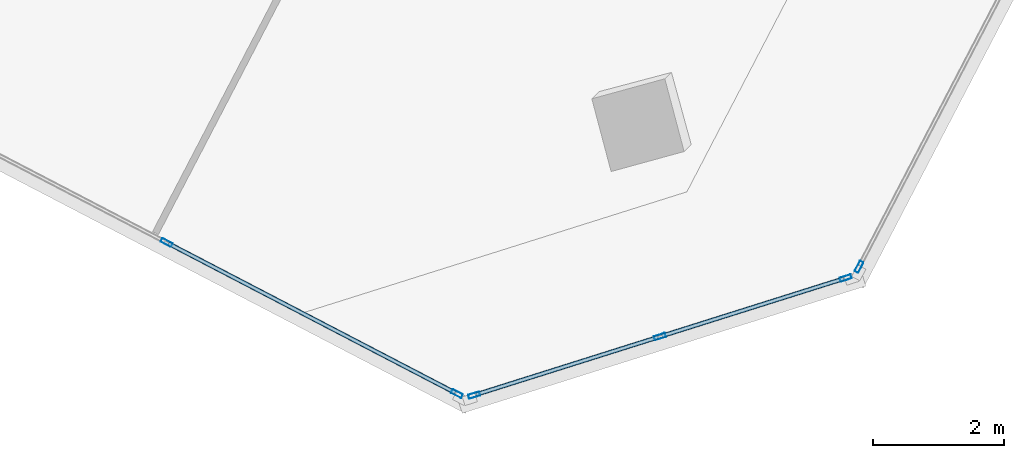
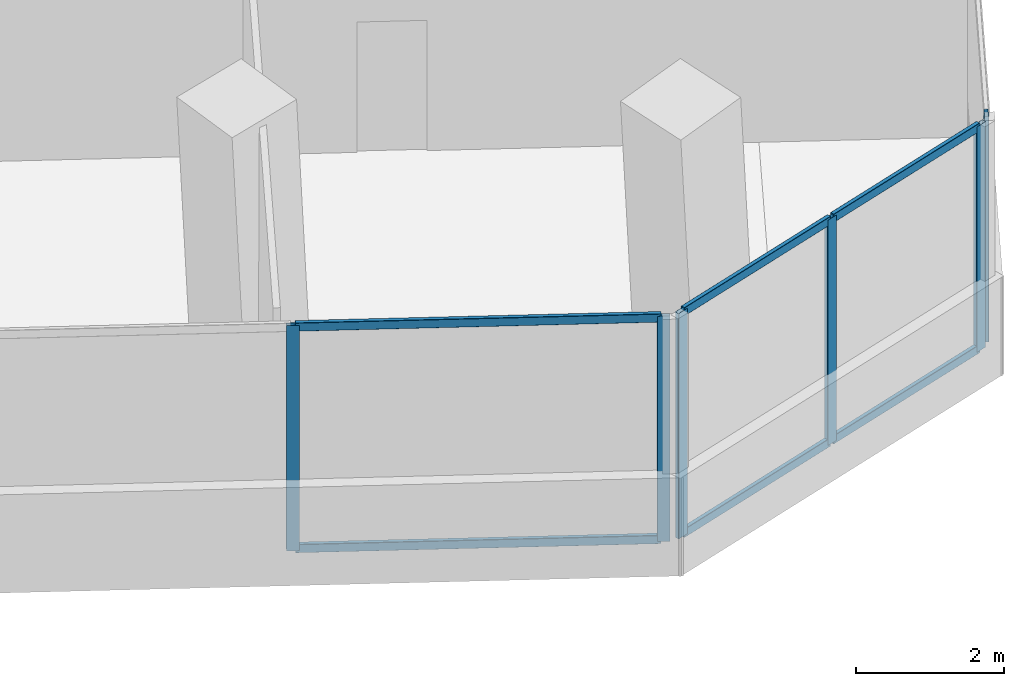
# One storey, part 7 of 22: 12 members, 3 elements without a shape of their own.
"""IFC4 building model written with IfcOpenShell, lengths in metres."""

from ifc_helpers import new_model, si_unit, direction, frame, origin, origin_2d, place, context, subcontext, project, spatial, hollow_rectangle, extrude, source, transform, mapped, material, material_profile, profile_set, type_object, element, aggregate, save


model = new_model("IFC4")

# Units and contexts
model_context = context("Model", 3, precision=1e-05, world=origin(), true_north=direction((0.0, 1.0)))
body_context = subcontext(model_context, "Body", "Model", "MODEL_VIEW")
ifc_project = project(units=[si_unit("LENGTHUNIT", "METRE"), si_unit("AREAUNIT", "SQUARE_METRE"), si_unit("VOLUMEUNIT", "CUBIC_METRE"), si_unit("PLANEANGLEUNIT", "RADIAN"), si_unit("MASSUNIT", "GRAM", prefix="KILO")], contexts=[model_context])

# Site, building, storey
site_placement = place(None, origin())
site = spatial("IfcSite", under=ifc_project, at=site_placement, CompositionType="ELEMENT")
building_placement = place(site_placement, origin())
building = spatial("IfcBuilding", under=site, at=building_placement, Name="Torre Montelarca", CompositionType="ELEMENT")
storey_placement = place(building_placement, frame((0.0, 0.0, 175.0)))
storey = spatial("IfcBuildingStorey", under=building, at=storey_placement, Name="L39", CompositionType="ELEMENT", Elevation=175.0)

# Curtain wall, members
ifc_material_1 = material(Name="Insulated low-E laminated glass", Category="glass")
curtain_wall_type = type_object("IfcCurtainWallType", Name="CW-SYS-Z2", PredefinedType="USERDEFINED", material=ifc_material_1)
curtain_wall_1_placement = place(storey_placement, origin())
curtain_wall_1 = element("IfcCurtainWall", 1, at=curtain_wall_1_placement, inside=storey, type_object=curtain_wall_type, Name="L39 Curtain Wall Run CW-T3-L39-E05-B1", ObjectType="UNITISED GLAZING", PredefinedType="USERDEFINED")
ifc_material_2 = material(Name="Anodised aluminium AA 6063-T6", Category="aluminium")
ifc_material_profile_1 = material_profile(ifc_material_2, hollow_rectangle(XDim=0.06494140625, YDim=0.139892578125, WallThickness=0.00390625, InnerFilletRadius=0.00390625, OuterFilletRadius=0.008056640625, at=origin_2d()), Name="ALU65X140X4", Category="aluminium")
ifc_profile_set_1 = profile_set([ifc_material_profile_1], Name="Anodised aluminium AA 6063-T6")
member_type_1 = type_object("IfcMemberType", Name="CWT-ALU140", PredefinedType="USERDEFINED", material=ifc_profile_set_1)
shared_shape_1 = source(origin(), body_context, "Body", "SweptSolid", [
    extrude(hollow_rectangle(XDim=0.06494140625, YDim=0.139892578125, WallThickness=0.00390625, InnerFilletRadius=0.00390625, OuterFilletRadius=0.008056640625, at=origin_2d()), origin(), (0.0, 0.0, 1.0), 2.918701171875),
])
member_1_placement = place(storey_placement, frame((38.282470703125, 7.993408203125, 0.032470703125), z_axis=(0.953717833294, 0.300703000412, 0.0), x_axis=(-0.300703000412, 0.953717833294, 0.0)))
member_1 = element("IfcMember", 2, at=member_1_placement, type_object=member_type_1, Name="CW transom 1.1", ObjectType="TRANSOM", PredefinedType="USERDEFINED", context=body_context, shape_type="MappedRepresentation", body=[
    mapped(shared_shape_1, transform((0.0, 0.0, 0.0), scale=1.0)),
])
member_2_placement = place(storey_placement, frame((38.282470703125, 7.993408203125, 3.6875), z_axis=(0.953717833294, 0.300703000412, 0.0), x_axis=(-0.300703000412, 0.953717833294, 0.0)))
member_2 = element("IfcMember", 3, at=member_2_placement, type_object=member_type_1, Name="CW transom 1.2", ObjectType="TRANSOM", PredefinedType="USERDEFINED", context=body_context, shape_type="MappedRepresentation", body=[
    mapped(shared_shape_1, transform((0.0, 0.0, 0.0), scale=1.0)),
])
shared_shape_2 = source(origin(), body_context, "Body", "SweptSolid", [
    extrude(hollow_rectangle(XDim=0.06494140625, YDim=0.139892578125, WallThickness=0.00390625, InnerFilletRadius=0.00390625, OuterFilletRadius=0.008056640625, at=origin_2d()), origin(), (0.0, 0.0, 1.0), 2.91845703125),
])
member_3_placement = place(storey_placement, frame((41.128173828125, 8.890625, 0.032470703125), z_axis=(0.953734258379, 0.300650901203, 0.0), x_axis=(-0.300650901203, 0.953734258379, 0.0)))
member_3 = element("IfcMember", 4, at=member_3_placement, type_object=member_type_1, Name="CW transom 2.1", ObjectType="TRANSOM", PredefinedType="USERDEFINED", context=body_context, shape_type="MappedRepresentation", body=[
    mapped(shared_shape_2, transform((0.0, 0.0, 0.0), scale=1.0)),
])
member_4_placement = place(storey_placement, frame((41.128173828125, 8.890625, 3.6875), z_axis=(0.953734258379, 0.300650901203, 0.0), x_axis=(-0.300650901203, 0.953734258379, 0.0)))
member_4 = element("IfcMember", 5, at=member_4_placement, type_object=member_type_1, Name="CW transom 2.2", ObjectType="TRANSOM", PredefinedType="USERDEFINED", context=body_context, shape_type="MappedRepresentation", body=[
    mapped(shared_shape_2, transform((0.0, 0.0, 0.0), scale=1.0)),
])

curtain_wall_2_placement = place(storey_placement, origin())
curtain_wall_2 = element("IfcCurtainWall", 6, at=curtain_wall_2_placement, inside=storey, type_object=curtain_wall_type, Name="L39 Curtain Wall Run CW-T3-L39-E04-B1", ObjectType="UNITISED GLAZING", PredefinedType="USERDEFINED")
ifc_material_profile_2 = material_profile(ifc_material_2, hollow_rectangle(XDim=0.06494140625, YDim=0.179931640625, WallThickness=0.00390625, InnerFilletRadius=0.00390625, OuterFilletRadius=0.008056640625, at=origin_2d()), Name="ALU65X180X4", Category="aluminium")
ifc_profile_set_2 = profile_set([ifc_material_profile_2], Name="Anodised aluminium AA 6063-T6")
member_type_2 = type_object("IfcMemberType", Name="CWM-ALU180", PredefinedType="MULLION", material=ifc_profile_set_2)
shared_shape_3 = source(origin(), body_context, "Body", "SweptSolid", [
    extrude(hollow_rectangle(XDim=0.06494140625, YDim=0.179931640625, WallThickness=0.00390625, InnerFilletRadius=0.00390625, OuterFilletRadius=0.008056640625, at=origin_2d()), origin(), (0.0, 0.0, 1.0), 3.719970703125),
])
member_5_placement = place(storey_placement, frame((33.538330078125, 10.322021484375, 0.0), z_axis=(0.0, 0.0, 1.0), x_axis=(0.461743609762, 0.887013437803, 0.0)))
member_5 = element("IfcMember", 7, at=member_5_placement, type_object=member_type_2, Name="CW mullion 2", PredefinedType="MULLION", context=body_context, shape_type="MappedRepresentation", body=[
    mapped(shared_shape_3, transform((0.0, 0.0, 0.0), scale=1.0)),
])
member_6_placement = place(storey_placement, frame((37.985595703125, 8.0068359375, 0.0), z_axis=(0.0, 0.0, 1.0), x_axis=(0.461743609762, 0.887013437803, 0.0)))
member_6 = element("IfcMember", 8, at=member_6_placement, type_object=member_type_2, Name="CW mullion 3", PredefinedType="MULLION", context=body_context, shape_type="MappedRepresentation", body=[
    mapped(shared_shape_3, transform((0.0, 0.0, 0.0), scale=1.0)),
])

# Member
member_7_placement = place(storey_placement, frame((38.25146484375, 7.983642578125, 0.0), z_axis=(0.0, 0.0, 1.0), x_axis=(-0.300679111938, 0.953725364895, 0.0)))
member_7 = element("IfcMember", 9, at=member_7_placement, type_object=member_type_2, Name="CW mullion 1", PredefinedType="MULLION", context=body_context, shape_type="MappedRepresentation", body=[
    mapped(shared_shape_3, transform((0.0, 0.0, 0.0), scale=1.0)),
])

member_8_placement = place(storey_placement, frame((41.09716796875, 8.880859375, 0.0), z_axis=(0.0, 0.0, 1.0), x_axis=(-0.300679111938, 0.953725364895, 0.0)))
member_8 = element("IfcMember", 10, at=member_8_placement, type_object=member_type_2, Name="CW mullion 2", PredefinedType="MULLION", context=body_context, shape_type="MappedRepresentation", body=[
    mapped(shared_shape_3, transform((0.0, 0.0, 0.0), scale=1.0)),
])

member_9_placement = place(storey_placement, frame((43.942626953125, 9.77783203125, 0.0), z_axis=(0.0, 0.0, 1.0), x_axis=(-0.300679111938, 0.953725364895, 0.0)))
member_9 = element("IfcMember", 11, at=member_9_placement, type_object=member_type_2, Name="CW mullion 3", PredefinedType="MULLION", context=body_context, shape_type="MappedRepresentation", body=[
    mapped(shared_shape_3, transform((0.0, 0.0, 0.0), scale=1.0)),
])

aggregate(curtain_wall_1, [member_7, member_8, member_9, member_1, member_2, member_3, member_4])

# Curtain wall, member
curtain_wall_3_placement = place(storey_placement, origin())
curtain_wall_3 = element("IfcCurtainWall", 12, at=curtain_wall_3_placement, inside=storey, type_object=curtain_wall_type, Name="L39 Curtain Wall Run CW-T3-L39-E06-B1", ObjectType="UNITISED GLAZING", PredefinedType="USERDEFINED")
member_10_placement = place(storey_placement, frame((44.147216796875, 9.949462890625, 0.0), z_axis=(0.0, 0.0, 1.0), x_axis=(-0.887014000849, 0.461742528145, 0.0)))
member_10 = element("IfcMember", 13, at=member_10_placement, type_object=member_type_2, Name="CW mullion 1", PredefinedType="MULLION", context=body_context, shape_type="MappedRepresentation", body=[
    mapped(shared_shape_3, transform((0.0, 0.0, 0.0), scale=1.0)),
])
aggregate(curtain_wall_3, [member_10])

# Member
shared_shape_4 = source(origin(), body_context, "Body", "SweptSolid", [
    extrude(hollow_rectangle(XDim=0.06494140625, YDim=0.139892578125, WallThickness=0.00390625, InnerFilletRadius=0.00390625, OuterFilletRadius=0.008056640625, at=origin_2d()), origin(), (0.0, 0.0, 1.0), 4.948486328125),
])
member_11_placement = place(storey_placement, frame((33.5673828125, 10.306884765625, 0.032470703125), z_axis=(0.887016390061, -0.461737938405, 0.0), x_axis=(0.461737938405, 0.887016390061, 0.0)))
member_11 = element("IfcMember", 14, at=member_11_placement, type_object=member_type_1, Name="CW transom 2.1", ObjectType="TRANSOM", PredefinedType="USERDEFINED", context=body_context, shape_type="MappedRepresentation", body=[
    mapped(shared_shape_4, transform((0.0, 0.0, 0.0), scale=1.0)),
])

member_12_placement = place(storey_placement, frame((33.5673828125, 10.306884765625, 3.6875), z_axis=(0.887016390061, -0.461737938405, 0.0), x_axis=(0.461737938405, 0.887016390061, 0.0)))
member_12 = element("IfcMember", 15, at=member_12_placement, type_object=member_type_1, Name="CW transom 2.2", ObjectType="TRANSOM", PredefinedType="USERDEFINED", context=body_context, shape_type="MappedRepresentation", body=[
    mapped(shared_shape_4, transform((0.0, 0.0, 0.0), scale=1.0)),
])

aggregate(curtain_wall_2, [member_5, member_6, member_11, member_12])

save(model, "model.ifc")
